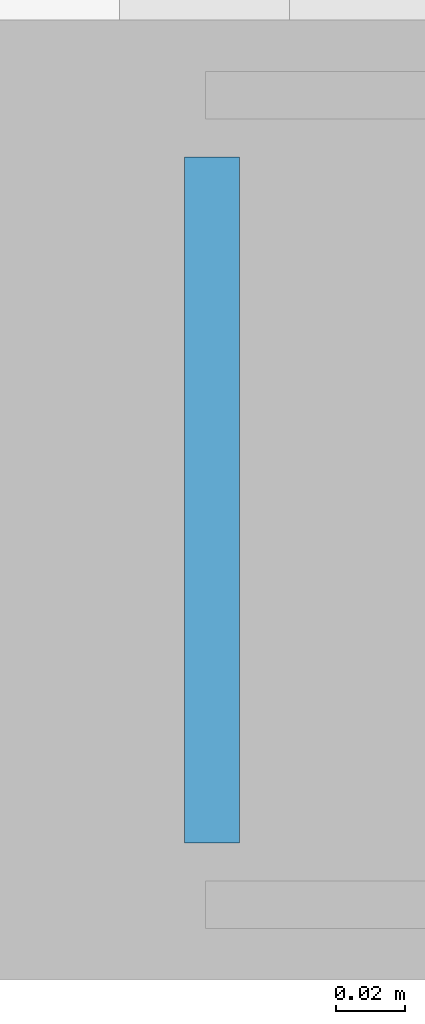
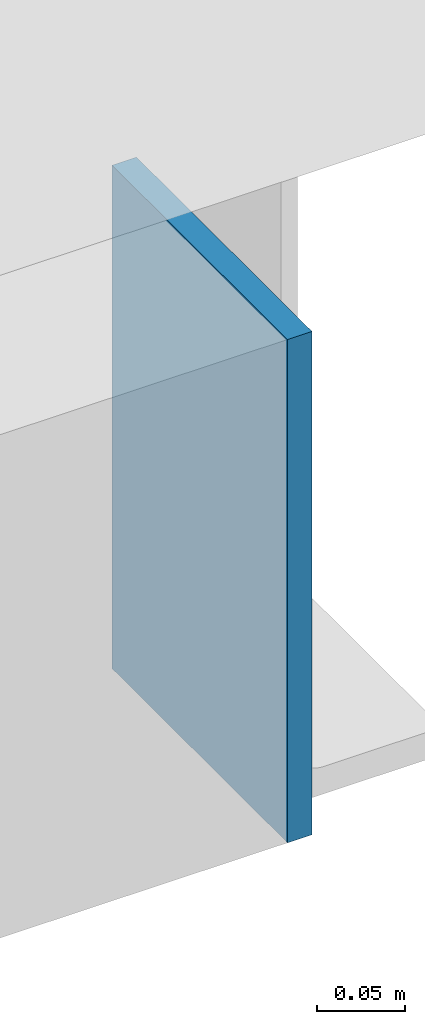
# One storey, part 40 of 57: 1 discrete accessory.
"""IFC4 building model written with IfcOpenShell, lengths in metres."""

from ifc_helpers import new_model, si_unit, direction, frame, origin, origin_2d, place, context, subcontext, project, spatial, rectangle, extrude, material, type_object, element, save


model = new_model("IFC4")

# Units and contexts
model_context = context("Model", 3, precision=1e-05, world=origin(), true_north=direction((0.0, 1.0)))
body_context = subcontext(model_context, "Body", "Model", "MODEL_VIEW")
ifc_project = project(units=[si_unit("LENGTHUNIT", "METRE"), si_unit("AREAUNIT", "SQUARE_METRE"), si_unit("VOLUMEUNIT", "CUBIC_METRE"), si_unit("PLANEANGLEUNIT", "RADIAN"), si_unit("MASSUNIT", "GRAM", prefix="KILO"), si_unit("THERMODYNAMICTEMPERATUREUNIT", "KELVIN")], contexts=[model_context])

# Site, building, storey
site_placement = place(None, origin())
site = spatial("IfcSite", under=ifc_project, at=site_placement, CompositionType="ELEMENT")
building_placement = place(site_placement, origin())
building = spatial("IfcBuilding", under=site, at=building_placement, Name="Lustrewick Department Store", CompositionType="ELEMENT")
storey_placement = place(building_placement, frame((0.0, 0.0, 26.699951171875)))
storey = spatial("IfcBuildingStorey", under=building, at=storey_placement, Name="L06", CompositionType="ELEMENT", Elevation=26.699951171875)

# Discrete accessory
ifc_material = material(Name="Structural steel Q355C", Category="steel")
discrete_accessory_type = type_object("IfcDiscreteAccessoryType", Name="ECP-01", PredefinedType="USERDEFINED", material=ifc_material)
discrete_accessory_placement = place(storey_placement, frame((58.1689453125, 42.0, -0.429931640625), z_axis=(1.0, 0.0, 0.0), x_axis=(0.0, 1.0, 0.0)))
element("IfcDiscreteAccessory", 1, at=discrete_accessory_placement, inside=storey, type_object=discrete_accessory_type, Name="L06 Welded Hollow-Section End-Cap Plate ECP-01", ObjectType="END_CAP_PLATE", PredefinedType="USERDEFINED", context=body_context, shape_type="SweptSolid", body=[
    extrude(rectangle(XDim=0.199951171875, YDim=0.35009765625, at=origin_2d()), origin(), (0.0, 0.0, 1.0), 0.01611328125),
])

save(model, "model.ifc")
